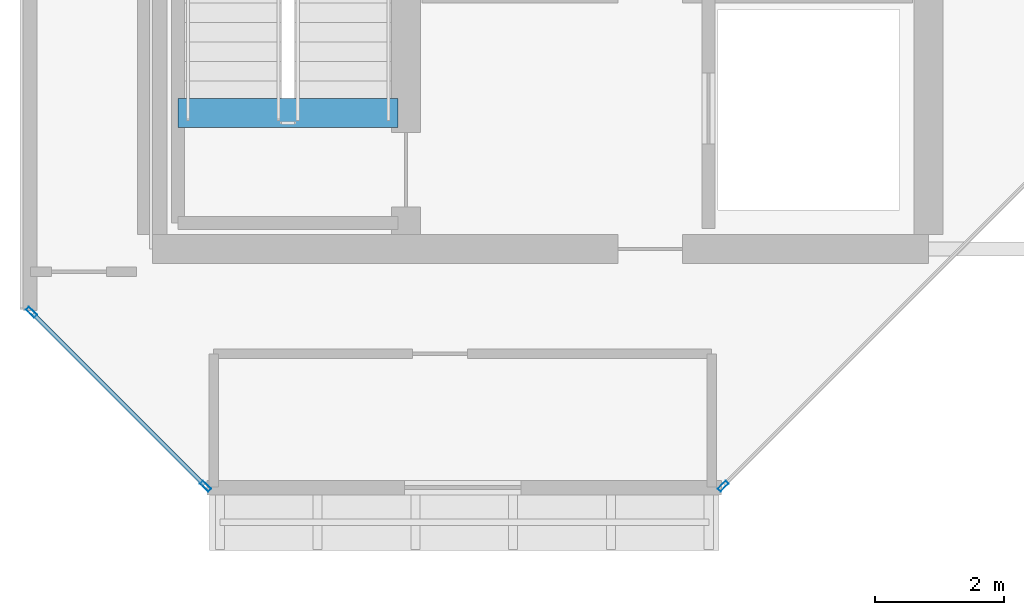
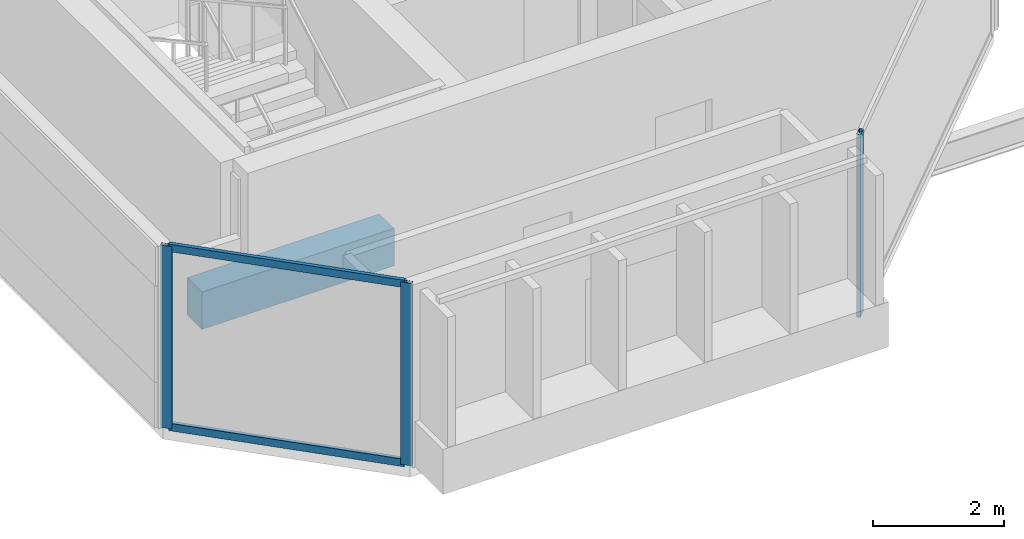
# One storey, part 2 of 28: 5 members, 1 beam, 2 elements without a shape of their own.
"""IFC4 building model written with IfcOpenShell, lengths in metres."""

from ifc_helpers import new_model, si_unit, direction, frame, origin, origin_2d, place, context, subcontext, project, spatial, rectangle, hollow_rectangle, extrude, material, layer, layer_set, material_profile, profile_set, type_object, element, aggregate, save


model = new_model("IFC4")

# Units and contexts
model_context = context("Model", 3, precision=1e-05, world=origin(), true_north=direction((0.0, 1.0)))
body_context = subcontext(model_context, "Body", "Model", "MODEL_VIEW")
ifc_project = project(units=[si_unit("LENGTHUNIT", "METRE"), si_unit("AREAUNIT", "SQUARE_METRE"), si_unit("VOLUMEUNIT", "CUBIC_METRE"), si_unit("PLANEANGLEUNIT", "RADIAN"), si_unit("MASSUNIT", "GRAM", prefix="KILO")], contexts=[model_context])

# Site, building, storey
site_placement = place(None, origin())
site = spatial("IfcSite", under=ifc_project, at=site_placement, CompositionType="ELEMENT")
building_placement = place(site_placement, origin())
building = spatial("IfcBuilding", under=site, at=building_placement, Name="Tanjung Sevakor Pilgrim Tower", CompositionType="ELEMENT")
storey_placement = place(building_placement, frame((0.0, 0.0, 242.550048828125)))
storey = spatial("IfcBuildingStorey", under=building, at=storey_placement, Name="L68", CompositionType="ELEMENT", Elevation=242.550048828125)

# Beam
ifc_material_1 = material(Name="Concrete C60/75", Category="concrete")
ifc_material_profile_1 = material_profile(ifc_material_1, rectangle(XDim=0.449951171875, YDim=0.699951171875, at=origin_2d()))
ifc_profile_set_1 = profile_set([ifc_material_profile_1], Name="Concrete C60/75")
beam_type = type_object("IfcBeamType", Name="BM-B-LN3-RC-BM_450x700", PredefinedType="LINTEL", material=ifc_profile_set_1)
beam_placement = place(storey_placement, frame((24.39990234375, 26.699951171875, -0.35009765625), z_axis=(1.0, 0.0, 0.0), x_axis=(0.0, 1.0, 0.0)))
element("IfcBeam", 1, at=beam_placement, inside=storey, type_object=beam_type, Name="L68 TS-W1 Stair Threshold Beam", PredefinedType="LINTEL", context=body_context, shape_type="SweptSolid", body=[
    extrude(rectangle(XDim=0.449951171875, YDim=0.699951171875, at=origin_2d()), origin(), (0.0, 0.0, 1.0), 3.400146484375),
])

# Curtain wall, member
ifc_material_2 = material(Name="Aluminium 6063-T6 and Low-E Glass", Category="aluminium")
ifc_layer = layer(ifc_material_2, 0.179931640625)
ifc_layer_set = layer_set([ifc_layer], Name="CW-SYS-CHAM")
curtain_wall_type = type_object("IfcCurtainWallType", Name="CW-SYS-CHAM", PredefinedType="NOTDEFINED", material=ifc_layer_set)
curtain_wall_1_placement = place(storey_placement, origin())
curtain_wall_1 = element("IfcCurtainWall", 2, at=curtain_wall_1_placement, inside=storey, type_object=curtain_wall_type, Name="L68 Curtain Wall CW-CHM-L68-WEST-1", PredefinedType="NOTDEFINED")
ifc_material_3 = material(Name="Aluminium 6063-T6", Category="aluminium")
ifc_material_profile_2 = material_profile(ifc_material_3, hollow_rectangle(XDim=0.06494140625, YDim=0.179931640625, WallThickness=0.00390625, at=origin_2d()))
ifc_profile_set_2 = profile_set([ifc_material_profile_2], Name="Aluminium 6063-T6")
member_type_1 = type_object("IfcMemberType", Name="TYPE-CWM-1", PredefinedType="MULLION", material=ifc_profile_set_2)
member_1_placement = place(storey_placement, frame((32.827392578125, 20.932861328125, 0.0), z_axis=(0.0, 0.0, 1.0), x_axis=(-0.707106781187, 0.707106781187, 0.0)))
member_1 = element("IfcMember", 3, at=member_1_placement, type_object=member_type_1, Name="CW-CHM mullion 1", PredefinedType="MULLION", context=body_context, shape_type="SweptSolid", body=[
    extrude(hollow_rectangle(XDim=0.06494140625, YDim=0.179931640625, WallThickness=0.00390625, at=origin_2d()), origin(), (0.0, 0.0, 1.0), 3.409912109375),
])
aggregate(curtain_wall_1, [member_1])

# Curtain wall, members
curtain_wall_2_placement = place(storey_placement, origin())
curtain_wall_2 = element("IfcCurtainWall", 4, at=curtain_wall_2_placement, inside=storey, type_object=curtain_wall_type, Name="L68 Curtain Wall CW-CHM-L68-WEST-7", PredefinedType="NOTDEFINED")
member_2_placement = place(storey_placement, frame((22.133056640625, 23.62255859375, 0.0), z_axis=(0.0, 0.0, 1.0), x_axis=(0.707106781187, 0.707106781187, 0.0)))
member_2 = element("IfcMember", 5, at=member_2_placement, type_object=member_type_1, Name="CW-CHM mullion 1", PredefinedType="MULLION", context=body_context, shape_type="SweptSolid", body=[
    extrude(hollow_rectangle(XDim=0.06494140625, YDim=0.179931640625, WallThickness=0.00390625, at=origin_2d()), origin(), (0.0, 0.0, 1.0), 3.409912109375),
])
member_3_placement = place(storey_placement, frame((24.822509765625, 20.932861328125, 0.0), z_axis=(0.0, 0.0, 1.0), x_axis=(0.707106781187, 0.707106781187, 0.0)))
member_3 = element("IfcMember", 6, at=member_3_placement, type_object=member_type_1, Name="CW-CHM mullion 2", PredefinedType="MULLION", context=body_context, shape_type="SweptSolid", body=[
    extrude(hollow_rectangle(XDim=0.06494140625, YDim=0.179931640625, WallThickness=0.00390625, at=origin_2d()), origin(), (0.0, 0.0, 1.0), 3.409912109375),
])
ifc_material_4 = material(Name="Aluminium 6063-T6", Category="aluminium")
ifc_material_profile_3 = material_profile(ifc_material_4, hollow_rectangle(XDim=0.06494140625, YDim=0.139892578125, WallThickness=0.00390625, at=origin_2d()))
ifc_profile_set_3 = profile_set([ifc_material_profile_3], Name="Aluminium 6063-T6")
member_type_2 = type_object("IfcMemberType", Name="TYPE-CWT-1", PredefinedType="USERDEFINED", material=ifc_profile_set_3)
member_4_placement = place(storey_placement, frame((22.156005859375, 23.599609375, 0.032470703125), z_axis=(0.707106781187, -0.707106781187, 0.0), x_axis=(0.707106781187, 0.707106781187, 0.0)))
member_4 = element("IfcMember", 7, at=member_4_placement, type_object=member_type_2, Name="CW-CHM transom 1.1", ObjectType="TRANSOM", PredefinedType="USERDEFINED", context=body_context, shape_type="SweptSolid", body=[
    extrude(hollow_rectangle(XDim=0.06494140625, YDim=0.139892578125, WallThickness=0.00390625, at=origin_2d()), origin(), (0.0, 0.0, 1.0), 3.738525390625),
])
member_5_placement = place(storey_placement, frame((22.156005859375, 23.599609375, 3.37744140625), z_axis=(0.707106781187, -0.707106781187, 0.0), x_axis=(0.707106781187, 0.707106781187, 0.0)))
member_5 = element("IfcMember", 8, at=member_5_placement, type_object=member_type_2, Name="CW-CHM transom 1.2", ObjectType="TRANSOM", PredefinedType="USERDEFINED", context=body_context, shape_type="SweptSolid", body=[
    extrude(hollow_rectangle(XDim=0.06494140625, YDim=0.139892578125, WallThickness=0.00390625, at=origin_2d()), origin(), (0.0, 0.0, 1.0), 3.738525390625),
])
aggregate(curtain_wall_2, [member_2, member_3, member_4, member_5])

save(model, "model.ifc")
